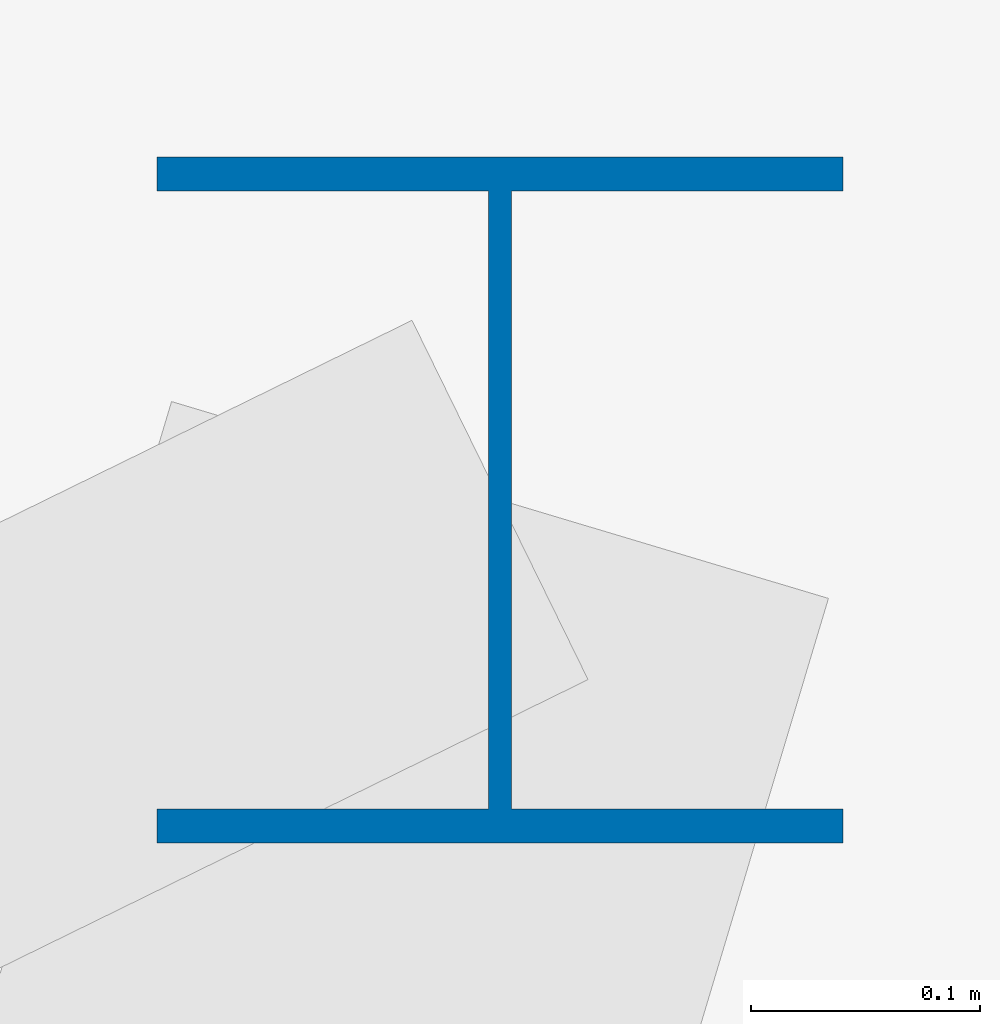
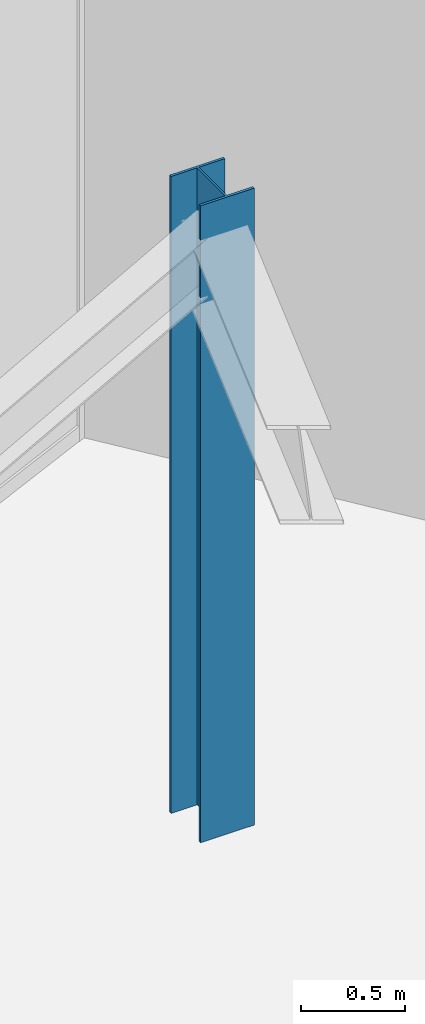
# One storey, part 2 of 16: 1 column.
"""IFC4 building model written with IfcOpenShell, lengths in metres."""

import ifcopenshell
import ifcopenshell.guid

model = None  # the IFC model being written
_history = None  # IfcOwnerHistory: only IFC2X3 demands one
_inside = {}  # id of a spatial element -> (the spatial element, [elements in it])
_under = {}  # id of a project, library or spatial element -> (it, [spatial elements below it])
_declared = {}  # id of a project -> (the project, [libraries it declares])
_typed = {}  # id of a type object -> (the type object, [elements of that type])
_made_of = {}  # id of a material, layer set ... -> (it, [elements and type objects made of it])


def new_model(schema):
    """Start an empty IFC model of exactly this schema.

    Asked for "IFC4X3", IfcOpenShell would pick the latest addendum, in which some entities
    have other attributes; the version numbers below select the first issue.
    IFC2X3 requires an IfcOwnerHistory on every rooted entity: one is made here for all.
    """
    global model, _history
    if schema == "IFC4X3":
        model = ifcopenshell.file(schema_version=(4, 3, 0, 0))
    else:
        model = ifcopenshell.file(schema=schema)
    _inside.clear()
    _under.clear()
    _declared.clear()
    _typed.clear()
    _made_of.clear()
    _history = None
    if model.schema == "IFC2X3":
        org = make("IfcOrganization", Name="unknown")
        user = make(
            "IfcPersonAndOrganization",
            ThePerson=make("IfcPerson", FamilyName="unknown"),
            TheOrganization=org,
        )
        app = make(
            "IfcApplication",
            ApplicationDeveloper=org,
            Version="unknown",
            ApplicationFullName="unknown",
            ApplicationIdentifier="unknown",
        )
        _history = make(
            "IfcOwnerHistory",
            OwningUser=user,
            OwningApplication=app,
            ChangeAction="ADDED",
            CreationDate=0,
        )
    return model


def make(cls, **values):
    """One entity of the class cls with the attributes given. An attribute that is None is left unset."""
    return model.create_entity(
        cls, **{name: value for name, value in values.items() if value is not None}
    )


def rooted(cls, **values):
    """An entity with a GlobalId (a new one), such as an element, a storey or a relation."""
    return make(cls, GlobalId=ifcopenshell.guid.new(), OwnerHistory=_history, **values)


def si_unit(unit_type, name, prefix=None):
    """IfcSIUnit, for example si_unit("LENGTHUNIT", "METRE", prefix="MILLI")."""
    return make("IfcSIUnit", UnitType=unit_type, Prefix=prefix, Name=name)


def assignment(units):
    """IfcUnitAssignment: the units of a project."""
    return None if units is None else make("IfcUnitAssignment", Units=units)


def point(xyz):
    """IfcCartesianPoint."""
    return None if xyz is None else make("IfcCartesianPoint", Coordinates=xyz)


def direction(xyz):
    """IfcDirection."""
    return None if xyz is None else make("IfcDirection", DirectionRatios=xyz)


def frame(location, z_axis=None, x_axis=None):
    """IfcAxis2Placement3D, a coordinate frame: its origin and axes. An axis left out is left unset."""
    return make(
        "IfcAxis2Placement3D",
        Location=point(location),
        Axis=direction(z_axis),
        RefDirection=direction(x_axis),
    )


def frame_2d(location, x_axis=None):
    """IfcAxis2Placement2D, a coordinate frame in the plane: its origin and x axis."""
    return make(
        "IfcAxis2Placement2D", Location=point(location), RefDirection=direction(x_axis)
    )


def origin():
    """The frame at (0, 0, 0) with its axes left unset."""
    return frame((0.0, 0.0, 0.0))


def origin_2d():
    """The frame at (0, 0) in the plane with its x axis left unset."""
    return frame_2d((0.0, 0.0))


def place(relative_to, where):
    """IfcLocalPlacement: puts the frame where relative to a parent placement (None: the world)."""
    return make(
        "IfcLocalPlacement", PlacementRelTo=relative_to, RelativePlacement=where
    )


def context(
    kind, dimensions, precision=None, world=None, true_north=None, identifier=None
):
    """IfcGeometricRepresentationContext, for example the 3D "Model" context."""
    return make(
        "IfcGeometricRepresentationContext",
        ContextIdentifier=identifier,
        ContextType=kind,
        CoordinateSpaceDimension=dimensions,
        Precision=precision,
        WorldCoordinateSystem=world,
        TrueNorth=true_north,
    )


def subcontext(parent, identifier, kind, view, scale=None):
    """IfcGeometricRepresentationSubContext, for example "Body" below "Model"."""
    return make(
        "IfcGeometricRepresentationSubContext",
        ContextIdentifier=identifier,
        ContextType=kind,
        ParentContext=parent,
        TargetScale=scale,
        TargetView=view,
    )


def project(units=None, contexts=None):
    """IfcProject with its units and contexts."""
    return rooted(
        "IfcProject",
        Name="project",
        RepresentationContexts=contexts,
        UnitsInContext=assignment(units),
    )


def spatial(cls, under=None, at=None, **own):
    """A site, building, storey or space (cls), placed at a placement, below another one or the project."""
    s = rooted(cls, ObjectPlacement=at, **own)
    if under is not None:
        _under.setdefault(under.id(), (under, []))[1].append(s)
    return s


def profile(cls, at=None, kind="AREA", **sizes):
    """A parametric profile (cls). Its sizes go by their IFC names, for example OverallWidth=200.0."""
    return make(cls, ProfileType=kind, Position=at, **sizes)


def i_section(**sizes):
    """IfcIShapeProfileDef."""
    return profile("IfcIShapeProfileDef", **sizes)


def extrude(swept, where, along, depth):
    """IfcExtrudedAreaSolid: the profile swept, set in the frame where, extruded along a direction by depth."""
    return make(
        "IfcExtrudedAreaSolid",
        SweptArea=swept,
        Position=where,
        ExtrudedDirection=direction(along),
        Depth=depth,
    )


def shape(context_of_items, identifier, shape_type, items):
    """IfcShapeRepresentation: the items that make up one representation, for example the "Body"."""
    return make(
        "IfcShapeRepresentation",
        ContextOfItems=context_of_items,
        RepresentationIdentifier=identifier,
        RepresentationType=shape_type,
        Items=items,
    )


def material(Name=None, Category=None):
    """IfcMaterial."""
    return make("IfcMaterial", Name=Name, Category=Category)


def material_profile(
    of_material, cross_section, Name=None, Category=None, Priority=None
):
    """IfcMaterialProfile: a cross section and its material."""
    return make(
        "IfcMaterialProfile",
        Name=Name,
        Material=of_material,
        Profile=cross_section,
        Priority=Priority,
        Category=Category,
    )


def profile_set(profiles, Name=None, composite=None):
    """IfcMaterialProfileSet."""
    return make(
        "IfcMaterialProfileSet",
        Name=Name,
        MaterialProfiles=profiles,
        CompositeProfile=composite,
    )


def made_of(thing, what):
    """Note that an element or type object is made of a material, layer set ...; save() writes the relation."""
    if what is not None:
        _made_of.setdefault(what.id(), (what, []))[1].append(thing)
    return thing


def type_object(cls, material=None, **own):
    """A type object (cls), such as IfcWallType, which elements share."""
    return made_of(rooted(cls, **own), material)


def element(
    cls,
    number,
    at=None,
    inside=None,
    cuts=None,
    type_object=None,
    material=None,
    context=None,
    identifier="Body",
    shape_type=None,
    held_by="IfcProductDefinitionShape",
    body=None,
    shapes=None,
    **own,
):
    """One element of the class cls, such as IfcWall. Its Tag is "e" and its number.

    at: its placement. inside: the storey or other place that contains it. cuts: it is an
    opening in that element (IfcRelVoidsElement). A single representation is given by context,
    identifier, shape_type and body (its items); several are given by shapes. held_by: the class
    of the entity that holds the representations. save() writes the other relations.
    """
    e = rooted(cls, Tag="e%d" % number, ObjectPlacement=at, **own)
    if body is not None:
        shapes = [shape(context, identifier, shape_type, body)]
    if shapes is not None:
        e.Representation = make(held_by, Representations=shapes)
    if inside is not None:
        _inside.setdefault(inside.id(), (inside, []))[1].append(e)
    if cuts is not None:
        rooted(
            "IfcRelVoidsElement", RelatingBuildingElement=cuts, RelatedOpeningElement=e
        )
    if type_object is not None:
        _typed.setdefault(type_object.id(), (type_object, []))[1].append(e)
    return made_of(e, material)


def aggregate(whole, parts):
    """IfcRelAggregates: a whole, such as a stair, and the parts it consists of."""
    return rooted("IfcRelAggregates", RelatingObject=whole, RelatedObjects=parts)


def save(model, path):
    """Write the relations noted so far, then the file.

    IfcRelAggregates (storeys below a building ...), IfcRelContainedInSpatialStructure (elements
    in a storey), IfcRelDefinesByType, IfcRelAssociatesMaterial and IfcRelDeclares: one each for
    every whole, place, type object, material and project.
    """
    for whole, parts in _under.values():
        aggregate(whole, parts)
    for where, things in _inside.values():
        rooted(
            "IfcRelContainedInSpatialStructure",
            RelatedElements=things,
            RelatingStructure=where,
        )
    for kind, things in _typed.values():
        rooted("IfcRelDefinesByType", RelatedObjects=things, RelatingType=kind)
    for what, things in _made_of.values():
        rooted("IfcRelAssociatesMaterial", RelatedObjects=things, RelatingMaterial=what)
    for by, libraries in _declared.values():
        rooted("IfcRelDeclares", RelatingContext=by, RelatedDefinitions=libraries)
    model.write(path)


model = new_model("IFC4")

# Units and contexts
model_context = context("Model", 3, precision=1e-05, world=origin(), true_north=direction((0.0, 1.0)))
body_context = subcontext(model_context, "Body", "Model", "MODEL_VIEW")
ifc_project = project(units=[si_unit("LENGTHUNIT", "METRE"), si_unit("AREAUNIT", "SQUARE_METRE"), si_unit("VOLUMEUNIT", "CUBIC_METRE"), si_unit("PLANEANGLEUNIT", "RADIAN"), si_unit("MASSUNIT", "GRAM", prefix="KILO")], contexts=[model_context])

# Site, building, storey
site_placement = place(None, origin())
site = spatial("IfcSite", under=ifc_project, at=site_placement, CompositionType="ELEMENT")
building_placement = place(site_placement, origin())
building = spatial("IfcBuilding", under=site, at=building_placement, Name="Qianvela Tower", CompositionType="ELEMENT")
storey_placement = place(building_placement, frame((0.0, 0.0, 367.550048828125)))
storey = spatial("IfcBuildingStorey", under=building, at=storey_placement, Name="L95", CompositionType="ELEMENT", Elevation=367.550048828125)

# Column
ifc_material = material(Name="Steel Q355B", Category="steel")
ifc_material_profile = material_profile(ifc_material, i_section(OverallWidth=0.300048828125, OverallDepth=0.300048828125, WebThickness=0.010009765625, FlangeThickness=0.014892578125, at=origin_2d()), Name="HW300x300x10x15")
ifc_profile_set = profile_set([ifc_material_profile], Name="Steel Q355B")
column_type = type_object("IfcColumnType", Name="COL-HW-300", PredefinedType="COLUMN", material=ifc_profile_set)
column_placement = place(storey_placement, frame((49.248046875, 38.866943359375, 0.0), z_axis=(0.0, 0.0, 1.0), x_axis=(1.0, 0.0, 0.0)))
element("IfcColumn", 1, at=column_placement, inside=storey, type_object=column_type, Name="L95 Crown Frame Column CR1", PredefinedType="COLUMN", context=body_context, shape_type="SweptSolid", body=[
    extrude(i_section(OverallWidth=0.300048828125, OverallDepth=0.300048828125, WebThickness=0.010009765625, FlangeThickness=0.014892578125, at=origin_2d()), origin(), (0.0, 0.0, 1.0), 3.75),
])

save(model, "model.ifc")
